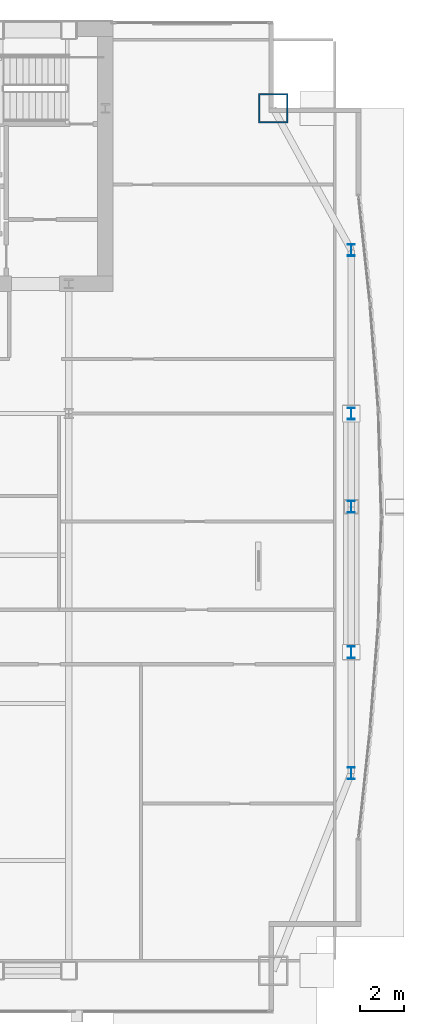
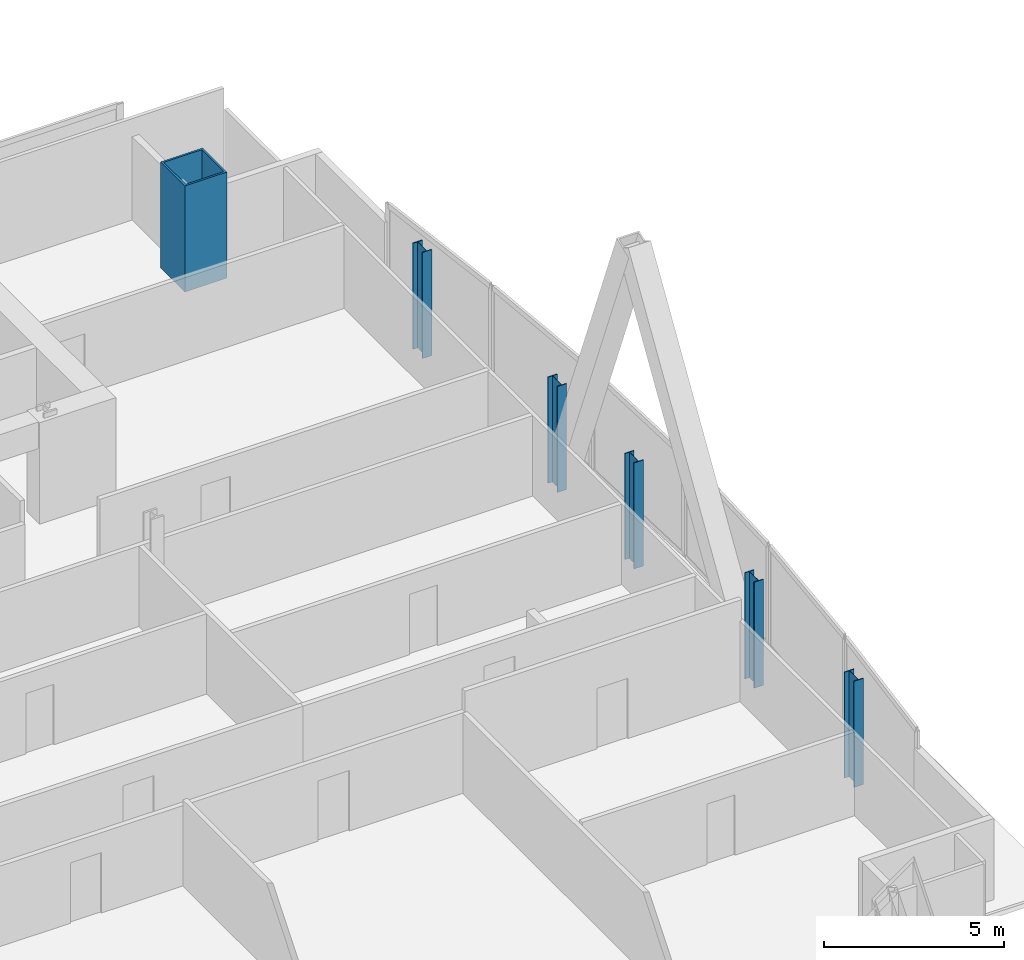
# One storey, part 4 of 30: 6 columns.
"""IFC4 building model written with IfcOpenShell, lengths in metres."""

from ifc_helpers import new_model, si_unit, direction, frame, origin, origin_2d, place, context, subcontext, project, spatial, hollow_rectangle, i_section, extrude, material, material_profile, profile_set, type_object, element, save


model = new_model("IFC4")

# Units and contexts
model_context = context("Model", 3, precision=1e-05, world=origin(), true_north=direction((0.0, 1.0)))
body_context = subcontext(model_context, "Body", "Model", "MODEL_VIEW")
ifc_project = project(units=[si_unit("LENGTHUNIT", "METRE"), si_unit("AREAUNIT", "SQUARE_METRE"), si_unit("VOLUMEUNIT", "CUBIC_METRE"), si_unit("PLANEANGLEUNIT", "RADIAN"), si_unit("MASSUNIT", "GRAM", prefix="KILO")], contexts=[model_context])

# Site, building, storey
site_placement = place(None, origin())
site = spatial("IfcSite", under=ifc_project, at=site_placement, CompositionType="ELEMENT")
building_placement = place(site_placement, origin())
building = spatial("IfcBuilding", under=site, at=building_placement, Name="Khoronbel Lancet Exchange", CompositionType="ELEMENT")
storey_placement = place(building_placement, frame((0.0, 0.0, 136.199951171875)))
storey = spatial("IfcBuildingStorey", under=building, at=storey_placement, Name="L33", CompositionType="ELEMENT", Elevation=136.199951171875)

# Columns
ifc_material_1 = material(Name="Steel S355", Category="steel")
ifc_material_profile_1 = material_profile(ifc_material_1, i_section(OverallWidth=0.300048828125, OverallDepth=0.550048828125, WebThickness=0.014892578125, FlangeThickness=0.029052734375, at=origin_2d()), Name="HEB 550")
ifc_profile_set_1 = profile_set([ifc_material_profile_1], Name="Steel S355")
column_type_1 = type_object("IfcColumnType", Name="COL-LC1", PredefinedType="COLUMN", material=ifc_profile_set_1)
for number, where, z_axis, x_axis, name in (
    (1, (67.6298828125, 19.199951171875, 0.0), (0.0, 0.0, 1.0), (1.0, 0.0, 0.0), "Structural column EC-1 L33"),
    (2, (67.6298828125, 24.75, 0.0), (0.0, 0.0, 1.0), (1.0, 0.0, 0.0), "Structural column EC-2 L33"),
    (3, (67.6298828125, 31.425048828125, 0.0), (0.0, 0.0, 1.0), (1.0, 0.0, 0.0), "Structural column EC-M L33"),
    (4, (67.6298828125, 35.699951171875, 0.0), (0.0, 0.0, 1.0), (1.0, 0.0, 0.0), "Structural column EC-3 L33"),
    (5, (67.6298828125, 43.199951171875, 0.0), (0.0, 0.0, 1.0), (1.0, 0.0, 0.0), "Structural column EC-4 L33"),
):
    element("IfcColumn", number, at=place(storey_placement, frame(where, z_axis=z_axis, x_axis=x_axis)), inside=storey, type_object=column_type_1, Name=name, PredefinedType="COLUMN", context=body_context, shape_type="SweptSolid", body=[
        extrude(i_section(OverallWidth=0.300048828125, OverallDepth=0.550048828125, WebThickness=0.014892578125, FlangeThickness=0.029052734375, at=origin_2d()), origin(), (0.0, 0.0, 1.0), 3.60009765625),
    ])
ifc_material_2 = material(Name="Steel S460", Category="steel")
ifc_material_profile_2 = material_profile(ifc_material_2, hollow_rectangle(XDim=1.35009765625, YDim=1.35009765625, WallThickness=0.06494140625, at=origin_2d()), Name="BOX 1350x1350x65")
ifc_profile_set_2 = profile_set([ifc_material_profile_2], Name="Steel S460")
column_type_2 = type_object("IfcColumnType", Name="COL-MC4", PredefinedType="COLUMN", material=ifc_profile_set_2)
column_placement = place(storey_placement, frame((64.050048828125, 49.699951171875, 0.0), z_axis=(0.0, 0.0, 1.0), x_axis=(1.0, 0.0, 0.0)))
element("IfcColumn", 6, at=column_placement, inside=storey, type_object=column_type_2, Name="Structural column MC-NE L33", PredefinedType="COLUMN", context=body_context, shape_type="SweptSolid", body=[
    extrude(hollow_rectangle(XDim=1.35009765625, YDim=1.35009765625, WallThickness=0.06494140625, at=origin_2d()), origin(), (0.0, 0.0, 1.0), 3.60009765625),
])

save(model, "model.ifc")
